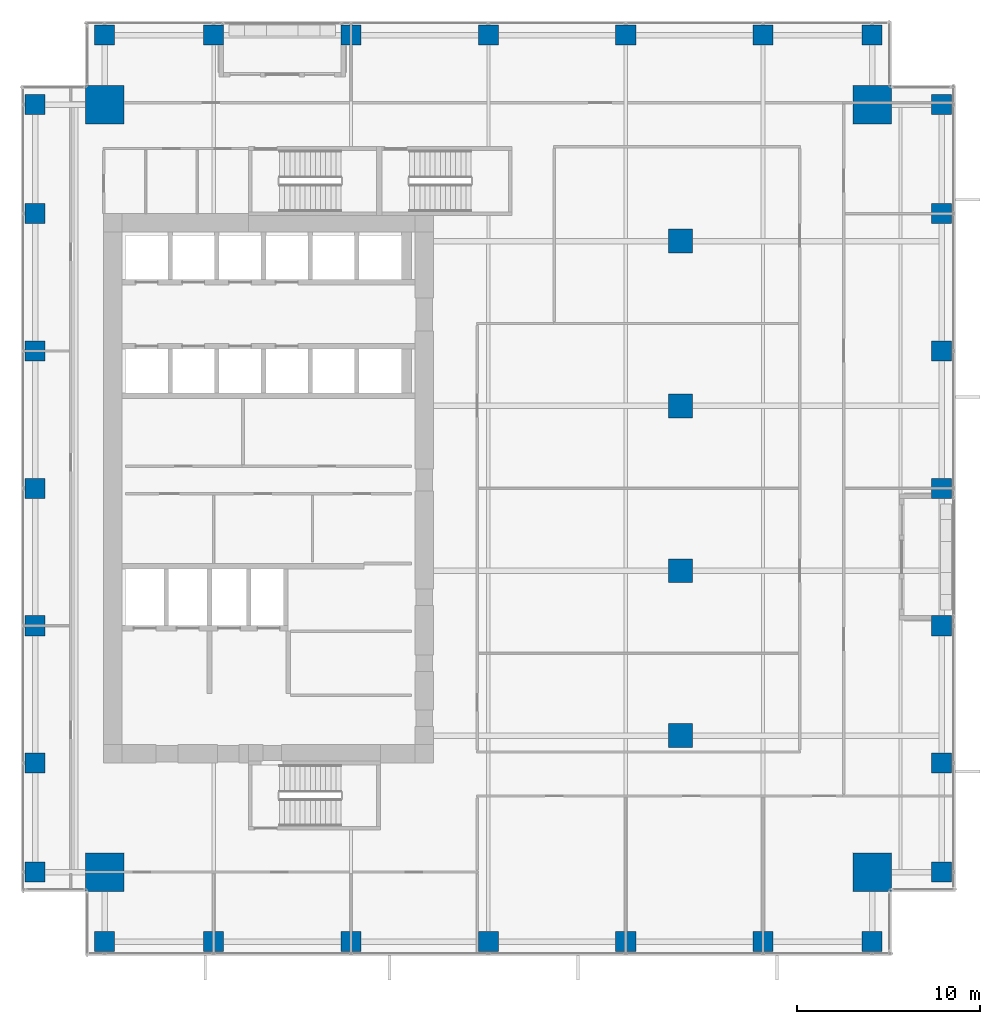
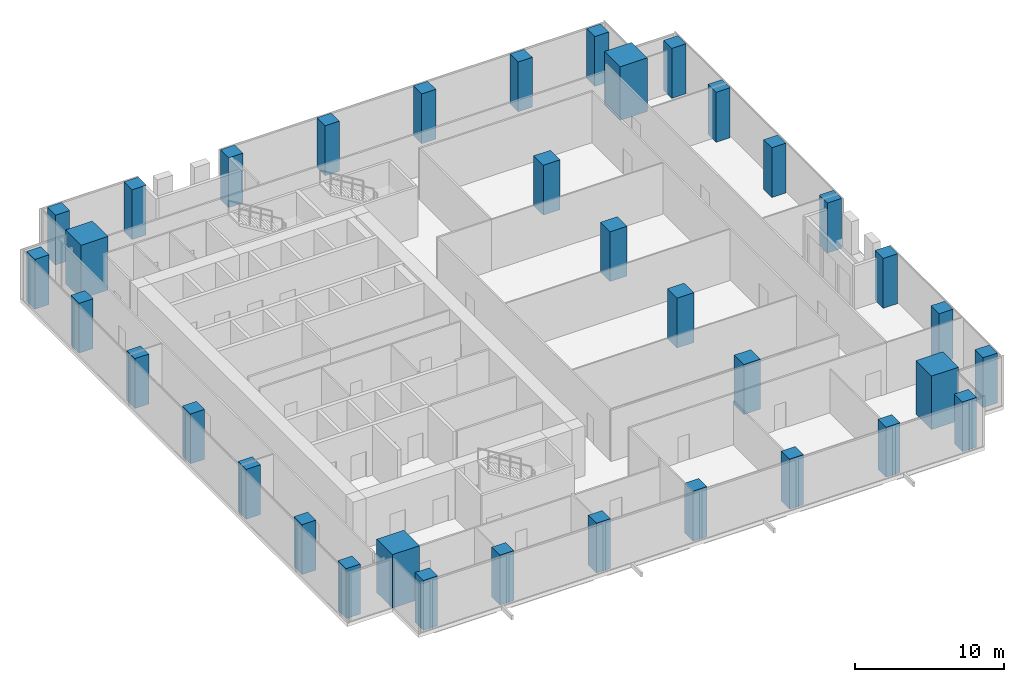
# One storey, part 1 of 34: 36 columns.
"""IFC4 building model written with IfcOpenShell, lengths in metres."""

from ifc_helpers import new_model, si_unit, direction, frame, origin, origin_2d, place, context, subcontext, project, spatial, rectangle, extrude, source, transform, mapped, material, material_profile, profile_set, type_object, element, save


model = new_model("IFC4")

# Units and contexts
model_context = context("Model", 3, precision=1e-05, world=origin(), true_north=direction((0.0, 1.0)))
body_context = subcontext(model_context, "Body", "Model", "MODEL_VIEW")
ifc_project = project(units=[si_unit("LENGTHUNIT", "METRE"), si_unit("AREAUNIT", "SQUARE_METRE"), si_unit("VOLUMEUNIT", "CUBIC_METRE"), si_unit("PLANEANGLEUNIT", "RADIAN"), si_unit("MASSUNIT", "GRAM", prefix="KILO")], contexts=[model_context])

# Site, building, storey
site_placement = place(None, origin())
site = spatial("IfcSite", under=ifc_project, at=site_placement, CompositionType="ELEMENT")
building_placement = place(site_placement, origin())
building = spatial("IfcBuilding", under=site, at=building_placement, Name="Khomas Fold Tower", CompositionType="ELEMENT")
storey_placement = place(building_placement, frame((0.0, 0.0, 110.300048828125)))
storey = spatial("IfcBuildingStorey", under=building, at=storey_placement, Name="L23", CompositionType="ELEMENT", Elevation=110.300048828125)

# Columns
ifc_material_1 = material(Name="Concrete C70/85", Category="concrete")
ifc_material_profile_1 = material_profile(ifc_material_1, rectangle(XDim=2.10009765625, YDim=2.10009765625, at=origin_2d()), Name="RC 2100x2100")
ifc_profile_set_1 = profile_set([ifc_material_profile_1], Name="Concrete C70/85")
column_type_1 = type_object("IfcColumnType", Name="RC 2100x2100 column", PredefinedType="COLUMN", material=ifc_profile_set_1)
shared_shape_1 = source(origin(), body_context, "Body", "SweptSolid", [
    extrude(rectangle(XDim=2.10009765625, YDim=2.10009765625, at=origin_2d()), origin(), (0.0, 0.0, 1.0), 4.39990234375),
])
for number, where, z_axis, x_axis, name in (
    (1, (47.949951171875, 47.949951171875, 0.0), (0.0, 0.0, 1.0), (1.0, 0.0, 0.0), "CM-NE"),
    (2, (6.050048828125, 47.949951171875, 0.0), (0.0, 0.0, 1.0), (1.0, 0.0, 0.0), "CM-NW"),
    (3, (47.949951171875, 6.050048828125, 0.0), (0.0, 0.0, 1.0), (1.0, 0.0, 0.0), "CM-SE"),
    (4, (6.050048828125, 6.050048828125, 0.0), (0.0, 0.0, 1.0), (1.0, 0.0, 0.0), "CM-SW"),
):
    element("IfcColumn", number, at=place(storey_placement, frame(where, z_axis=z_axis, x_axis=x_axis)), inside=storey, type_object=column_type_1, Name=name, PredefinedType="COLUMN", context=body_context, shape_type="MappedRepresentation", body=[
        mapped(shared_shape_1, transform((0.0, 0.0, 0.0))),
    ])
ifc_material_2 = material(Name="Concrete C50/60", Category="concrete")
ifc_material_profile_2 = material_profile(ifc_material_2, rectangle(XDim=1.10009765625, YDim=1.10009765625, at=origin_2d()), Name="RC 1100x1100")
ifc_profile_set_2 = profile_set([ifc_material_profile_2], Name="Concrete C50/60")
column_type_2 = type_object("IfcColumnType", Name="RC 1100x1100 column", PredefinedType="COLUMN", material=ifc_profile_set_2)
shared_shape_2 = source(origin(), body_context, "Body", "SweptSolid", [
    extrude(rectangle(XDim=1.10009765625, YDim=1.10009765625, at=origin_2d()), origin(), (0.0, 0.0, 1.0), 4.099853515625),
])
for number, where, z_axis, x_axis, name in (
    (5, (6.050048828125, 2.25, 0.0), (0.0, 0.0, 1.0), (1.0, 0.0, 0.0), "C-3-SF2"),
    (6, (12.0, 2.25, 0.0), (0.0, 0.0, 1.0), (1.0, 0.0, 0.0), "C-6-SF2"),
    (7, (19.5, 2.25, 0.0), (0.0, 0.0, 1.0), (1.0, 0.0, 0.0), "C-8-SF2"),
    (8, (27.0, 2.25, 0.0), (0.0, 0.0, 1.0), (1.0, 0.0, 0.0), "C-9-SF2"),
    (9, (34.5, 2.25, 0.0), (0.0, 0.0, 1.0), (1.0, 0.0, 0.0), "C-10-SF2"),
    (10, (42.0, 2.25, 0.0), (0.0, 0.0, 1.0), (1.0, 0.0, 0.0), "C-13-SF2"),
    (11, (47.949951171875, 2.25, 0.0), (0.0, 0.0, 1.0), (1.0, 0.0, 0.0), "C-16-SF2"),
    (12, (51.75, 6.050048828125, 0.0), (0.0, 0.0, 1.0), (1.0, 0.0, 0.0), "C-E2-C"),
    (13, (51.75, 12.0, 0.0), (0.0, 0.0, 1.0), (1.0, 0.0, 0.0), "C-E2-F"),
    (14, (51.75, 19.5, 0.0), (0.0, 0.0, 1.0), (1.0, 0.0, 0.0), "C-E2-J"),
    (15, (51.75, 27.0, 0.0), (0.0, 0.0, 1.0), (1.0, 0.0, 0.0), "C-E2-L"),
    (16, (51.75, 34.5, 0.0), (0.0, 0.0, 1.0), (1.0, 0.0, 0.0), "C-E2-N"),
    (17, (51.75, 42.0, 0.0), (0.0, 0.0, 1.0), (1.0, 0.0, 0.0), "C-E2-R"),
    (18, (51.75, 47.949951171875, 0.0), (0.0, 0.0, 1.0), (1.0, 0.0, 0.0), "C-E2-U"),
    (19, (6.050048828125, 51.75, 0.0), (0.0, 0.0, 1.0), (1.0, 0.0, 0.0), "C-3-NF2"),
    (20, (12.0, 51.75, 0.0), (0.0, 0.0, 1.0), (1.0, 0.0, 0.0), "C-6-NF2"),
    (21, (19.5, 51.75, 0.0), (0.0, 0.0, 1.0), (1.0, 0.0, 0.0), "C-8-NF2"),
    (22, (27.0, 51.75, 0.0), (0.0, 0.0, 1.0), (1.0, 0.0, 0.0), "C-9-NF2"),
    (23, (34.5, 51.75, 0.0), (0.0, 0.0, 1.0), (1.0, 0.0, 0.0), "C-10-NF2"),
    (24, (42.0, 51.75, 0.0), (0.0, 0.0, 1.0), (1.0, 0.0, 0.0), "C-13-NF2"),
    (25, (47.949951171875, 51.75, 0.0), (0.0, 0.0, 1.0), (1.0, 0.0, 0.0), "C-16-NF2"),
    (26, (2.25, 6.050048828125, 0.0), (0.0, 0.0, 1.0), (1.0, 0.0, 0.0), "C-W2-C"),
    (27, (2.25, 12.0, 0.0), (0.0, 0.0, 1.0), (1.0, 0.0, 0.0), "C-W2-F"),
    (28, (2.25, 19.5, 0.0), (0.0, 0.0, 1.0), (1.0, 0.0, 0.0), "C-W2-J"),
    (29, (2.25, 27.0, 0.0), (0.0, 0.0, 1.0), (1.0, 0.0, 0.0), "C-W2-L"),
    (30, (2.25, 34.5, 0.0), (0.0, 0.0, 1.0), (1.0, 0.0, 0.0), "C-W2-N"),
    (31, (2.25, 42.0, 0.0), (0.0, 0.0, 1.0), (1.0, 0.0, 0.0), "C-W2-R"),
    (32, (2.25, 47.949951171875, 0.0), (0.0, 0.0, 1.0), (1.0, 0.0, 0.0), "C-W2-U"),
):
    element("IfcColumn", number, at=place(storey_placement, frame(where, z_axis=z_axis, x_axis=x_axis)), inside=storey, type_object=column_type_2, Name=name, PredefinedType="COLUMN", context=body_context, shape_type="MappedRepresentation", body=[
        mapped(shared_shape_2, transform((0.0, 0.0, 0.0))),
    ])
ifc_material_3 = material(Name="Concrete C60/75", Category="concrete")
ifc_material_profile_3 = material_profile(ifc_material_3, rectangle(XDim=1.300048828125, YDim=1.300048828125, at=origin_2d()), Name="RC 1300x1300")
ifc_profile_set_3 = profile_set([ifc_material_profile_3], Name="Concrete C60/75")
column_type_3 = type_object("IfcColumnType", Name="RC 1300x1300 column", PredefinedType="COLUMN", material=ifc_profile_set_3)
shared_shape_3 = source(origin(), body_context, "Body", "SweptSolid", [
    extrude(rectangle(XDim=1.300048828125, YDim=1.300048828125, at=origin_2d()), origin(), (0.0, 0.0, 1.0), 4.099853515625),
])
for number, where, z_axis, x_axis, name in (
    (33, (37.5, 13.5, 0.0), (0.0, 0.0, 1.0), (1.0, 0.0, 0.0), "C-11-H"),
    (34, (37.5, 22.5, 0.0), (0.0, 0.0, 1.0), (1.0, 0.0, 0.0), "C-11-K"),
    (35, (37.5, 31.5, 0.0), (0.0, 0.0, 1.0), (1.0, 0.0, 0.0), "C-11-M"),
    (36, (37.5, 40.5, 0.0), (0.0, 0.0, 1.0), (1.0, 0.0, 0.0), "C-11-P"),
):
    element("IfcColumn", number, at=place(storey_placement, frame(where, z_axis=z_axis, x_axis=x_axis)), inside=storey, type_object=column_type_3, Name=name, PredefinedType="COLUMN", context=body_context, shape_type="MappedRepresentation", body=[
        mapped(shared_shape_3, transform((0.0, 0.0, 0.0))),
    ])

save(model, "model.ifc")
